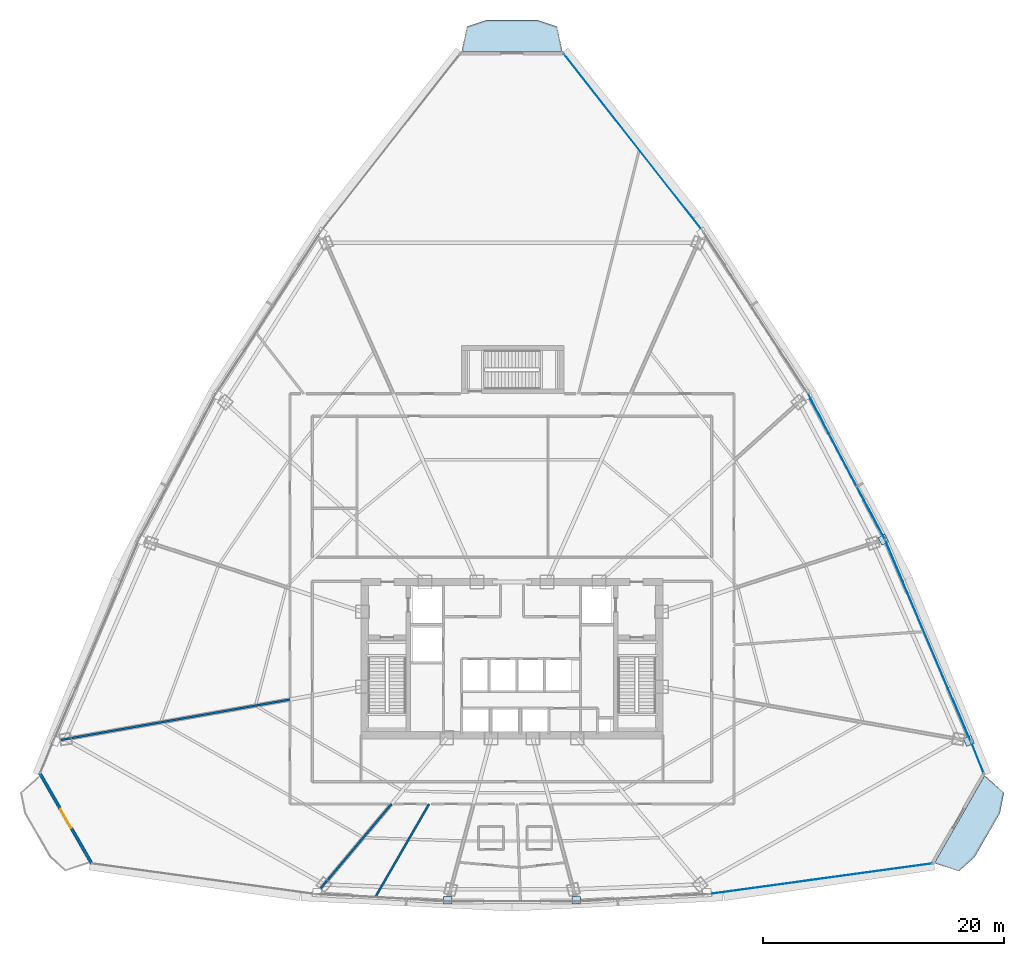
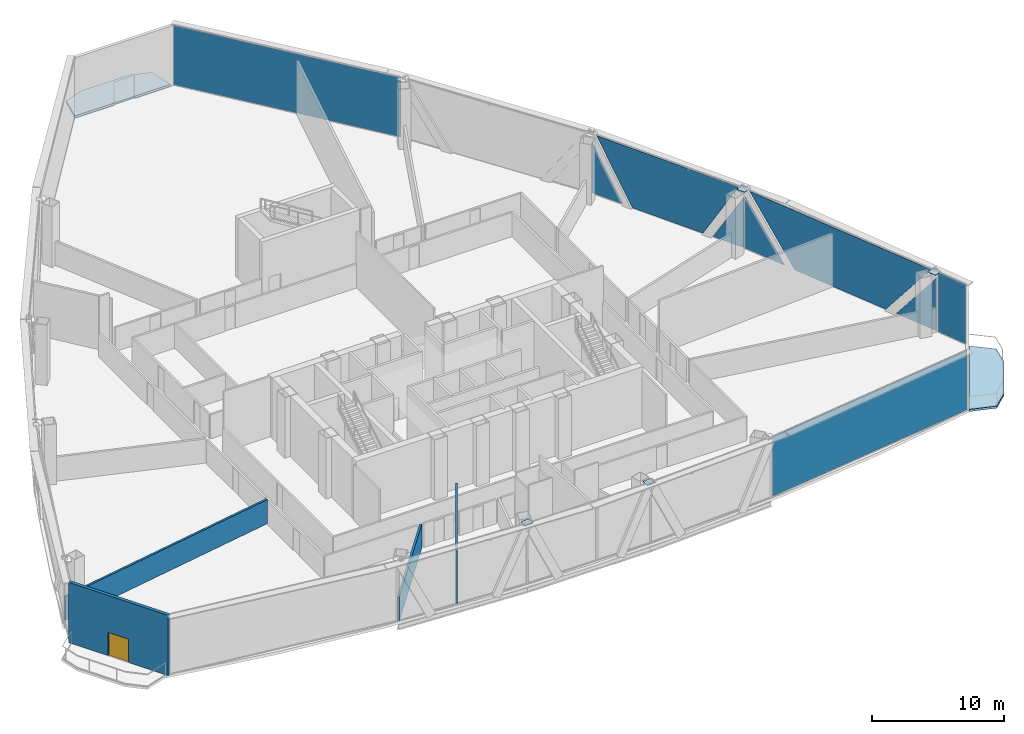
# One storey, part 32 of 40: 13 plates, 4 walls, 2 slabs, 1 door, 1 opening, 5 elements without a shape of their own.
"""IFC4 building model written with IfcOpenShell, lengths in metres."""

from ifc_helpers import new_model, si_unit, direction, frame, frame_2d, origin, origin_with_axes, origin_2d, place, context, subcontext, project, spatial, polyline, rectangle, outline, extrude, source, transform, mapped, material, layer, layer_set, type_object, element, fill, aggregate, save


model = new_model("IFC4")

# Units and contexts
model_context = context("Model", 3, precision=1e-05, world=origin(), true_north=direction((0.0, 1.0)))
body_context = subcontext(model_context, "Body", "Model", "MODEL_VIEW")
ifc_project = project(units=[si_unit("LENGTHUNIT", "METRE"), si_unit("AREAUNIT", "SQUARE_METRE"), si_unit("VOLUMEUNIT", "CUBIC_METRE"), si_unit("PLANEANGLEUNIT", "RADIAN"), si_unit("MASSUNIT", "GRAM", prefix="KILO"), si_unit("THERMODYNAMICTEMPERATUREUNIT", "KELVIN"), si_unit("POWERUNIT", "WATT")], contexts=[model_context])

# Site, building, storey
site_placement = place(None, origin())
site = spatial("IfcSite", under=ifc_project, at=site_placement, CompositionType="ELEMENT")
building_placement = place(site_placement, origin())
building = spatial("IfcBuilding", under=site, at=building_placement, Name="Yunzhuo Pagoda Commons", CompositionType="ELEMENT")
storey_placement = place(building_placement, frame((0.0, 0.0, 170.31005859375)))
storey = spatial("IfcBuildingStorey", under=building, at=storey_placement, Name="L43", CompositionType="ELEMENT", Elevation=170.31005859375)

# Curtain wall, plates
ifc_material_1 = material(Name="Anodized aluminium 6063-T6", Category="aluminium")
ifc_layer_1 = layer(ifc_material_1, 0.14990234375)
ifc_layer_set_1 = layer_set([ifc_layer_1], Name="Anodized aluminium 6063-T6")
curtain_wall_type = type_object("IfcCurtainWallType", Name="CW-MID Mid-Zone Ribbon Curtain Wall", PredefinedType="NOTDEFINED", material=ifc_layer_set_1)
curtain_wall_1_placement = place(storey_placement, origin())
curtain_wall_1 = element("IfcCurtainWall", 1, at=curtain_wall_1_placement, inside=storey, type_object=curtain_wall_type, Name="L43 curtain wall CW-L43-F2B2", PredefinedType="NOTDEFINED")
ifc_material_2 = material(Name="Tempered low-e double glazing", Category="glass")
ifc_layer_2 = layer(ifc_material_2, 0.028076171875)
ifc_layer_set_2 = layer_set([ifc_layer_2], Name="Tempered low-e double glazing")
plate_type_1 = type_object("IfcPlateType", Name="CW-MID-P Low-E Double Glazing 28", PredefinedType="CURTAIN_PANEL", material=ifc_layer_set_2)
plate_1_placement = place(storey_placement, frame((85.25927734375, 28.775146484375, 2.465087890625), z_axis=(0.920363798122, 0.391063267395, 0.0), x_axis=(-0.391063267395, 0.920363798122, 0.0)))
plate_1 = element("IfcPlate", 2, at=plate_1_placement, type_object=plate_type_1, Name="CW panel 1.1 lite 1", PredefinedType="CURTAIN_PANEL", context=body_context, shape_type="SweptSolid", body=[
    extrude(outline(polyline([(-1.881103515625, -2.41015625), (1.881103515625, -2.41015625), (-1.881103515625, 2.41015625), (-1.881103515625, -2.41015625)])), origin(), (0.0, 0.0, 1.0), 0.028076171875),
])
plate_2_placement = place(storey_placement, frame((82.431884765625, 35.352294921875, 2.784912109375), z_axis=(0.920363798122, 0.391063267395, 0.0), x_axis=(-0.391063267395, 0.920363798122, 0.0)))
plate_2 = element("IfcPlate", 3, at=plate_2_placement, type_object=plate_type_1, Name="CW panel 1.1 lite 2", PredefinedType="CURTAIN_PANEL", context=body_context, shape_type="SweptSolid", body=[
    extrude(outline(polyline([(-8.574951171875, 2.72998046875), (-4.313720703125, -2.72998046875), (4.313720703125, -2.72998046875), (8.574951171875, 2.72998046875), (-8.574951171875, 2.72998046875)])), origin(), (0.0, 0.0, 1.0), 0.028076171875),
])
plate_3_placement = place(storey_placement, frame((79.66015625, 41.95263671875, 2.465087890625), z_axis=(0.920363798122, 0.391063267395, 0.0), x_axis=(-0.391063267395, 0.920363798122, 0.0)))
plate_3 = element("IfcPlate", 4, at=plate_3_placement, type_object=plate_type_1, Name="CW panel 1.1 lite 3", PredefinedType="CURTAIN_PANEL", context=body_context, shape_type="SweptSolid", body=[
    extrude(outline(polyline([(-1.881103515625, -2.41015625), (1.881103515625, -2.41015625), (1.881103515625, 2.41015625), (-1.881103515625, -2.41015625)])), origin(), (0.0, 0.0, 1.0), 0.028076171875),
])
aggregate(curtain_wall_1, [plate_1, plate_2, plate_3])

curtain_wall_2_placement = place(storey_placement, origin())
curtain_wall_2 = element("IfcCurtainWall", 5, at=curtain_wall_2_placement, inside=storey, type_object=curtain_wall_type, Name="L43 curtain wall CW-L43-F2B3", PredefinedType="NOTDEFINED")
plate_4_placement = place(storey_placement, frame((78.2373046875, 44.99560546875, 2.384521484375), z_axis=(0.88426270096, 0.466989802556, 0.0), x_axis=(-0.466989802556, 0.88426270096, 0.0)))
plate_4 = element("IfcPlate", 6, at=plate_4_placement, type_object=plate_type_1, Name="CW panel 1.1 lite 1", PredefinedType="CURTAIN_PANEL", context=body_context, shape_type="SweptSolid", body=[
    extrude(outline(polyline([(-1.3623046875, -2.32958984375), (1.3623046875, -2.32958984375), (-1.3623046875, 2.32958984375), (-1.3623046875, -2.32958984375)])), origin(), (0.0, 0.0, 1.0), 0.028076171875),
])
plate_5_placement = place(storey_placement, frame((75.691162109375, 49.75244140625, 2.784912109375), z_axis=(0.88426270096, 0.466989802556, 0.0), x_axis=(-0.466989802556, 0.88426270096, 0.0)))
plate_5 = element("IfcPlate", 7, at=plate_5_placement, type_object=plate_type_1, Name="CW panel 1.1 lite 2", PredefinedType="CURTAIN_PANEL", context=body_context, shape_type="SweptSolid", body=[
    extrude(outline(polyline([(-6.34521484375, 2.72998046875), (-3.15283203125, -2.72998046875), (3.15283203125, -2.72998046875), (6.34521484375, 2.72998046875), (-6.34521484375, 2.72998046875)])), origin(), (0.0, 0.0, 1.0), 0.028076171875),
])
plate_6_placement = place(storey_placement, frame((73.1982421875, 54.53759765625, 2.384521484375), z_axis=(0.88426270096, 0.466989802556, 0.0), x_axis=(-0.466989802556, 0.88426270096, 0.0)))
plate_6 = element("IfcPlate", 8, at=plate_6_placement, type_object=plate_type_1, Name="CW panel 1.1 lite 3", PredefinedType="CURTAIN_PANEL", context=body_context, shape_type="SweptSolid", body=[
    extrude(outline(polyline([(-1.3623046875, -2.32958984375), (1.3623046875, -2.32958984375), (1.3623046875, 2.32958984375), (-1.3623046875, -2.32958984375)])), origin(), (0.0, 0.0, 1.0), 0.028076171875),
])
aggregate(curtain_wall_2, [plate_4, plate_5, plate_6])

# Slabs
ifc_material_3 = material(Name="Concrete C40", Category="concrete")
ifc_layer_3 = layer(ifc_material_3, 0.199951171875)
ifc_layer_set_3 = layer_set([ifc_layer_3], Name="Concrete C40")
slab_type = type_object("IfcSlabType", Name="SL-BAL Vertex Balcony Deck Slab 200", PredefinedType="FLOOR", material=ifc_layer_set_3)
slab_1_placement = place(storey_placement, frame((0.0, 0.0, -0.199951171875)))
element("IfcSlab", 9, at=slab_1_placement, inside=storey, type_object=slab_type, Name="L43 corner balcony V2", PredefinedType="FLOOR", context=body_context, shape_type="SweptSolid", body=[
    extrude(outline(polyline([(83.005615234375, 16.883544921875), (87.18603515625, 24.16455078125), (88.77880859375, 22.731201171875), (88.434814453125, 21.02734375), (86.344482421875, 17.38671875), (85.04638671875, 16.230712890625), (83.005615234375, 16.883544921875)])), origin(), (0.0, 0.0, 1.0), 0.199951171875),
])
slab_2_placement = place(storey_placement, frame((0.0, 0.0, -0.199951171875)))
element("IfcSlab", 10, at=slab_2_placement, inside=storey, type_object=slab_type, Name="L43 corner balcony V3", PredefinedType="FLOOR", context=body_context, shape_type="SweptSolid", body=[
    extrude(outline(polyline([(52.1806640625, 84.1328125), (43.8193359375, 84.1328125), (44.269287109375, 86.227783203125), (45.90966796875, 86.77783203125), (50.09033203125, 86.77783203125), (51.730712890625, 86.227783203125), (52.1806640625, 84.1328125)])), origin(), (0.0, 0.0, 1.0), 0.199951171875),
])

# Plates
ifc_material_4 = material(Name="Structural steel Q355B", Category="steel")
ifc_layer_4 = layer(ifc_material_4, 0.028076171875)
ifc_layer_set_4 = layer_set([ifc_layer_4], Name="Structural steel Q355B")
plate_type_2 = type_object("IfcPlateType", Name="SP-ND1 Lattice Node Cap Plate 800x500x28", PredefinedType="USERDEFINED", material=ifc_layer_set_4)
shared_shape_1 = source(origin(), body_context, "Body", "SweptSolid", [
    extrude(rectangle(XDim=0.699951171875, YDim=0.62255859375, at=origin_2d()), origin(), (0.0, 0.0, 1.0), 0.035888671875),
])
for number, where, z_axis, x_axis, name in (
    (11, (42.67822265625, 13.8388671875, 5.5322265625), (0.0, 0.0, 1.0), (1.0, 0.0, 0.0), "L43 setback lattice tie plate F1.2L"),
    (12, (53.32177734375, 13.8388671875, 5.5322265625), (0.0, 0.0, 1.0), (0.998414348059, 0.056292002903, 0.0), "L43 setback lattice tie plate F1.3L"),
):
    element("IfcPlate", number, at=place(storey_placement, frame(where, z_axis=z_axis, x_axis=x_axis)), inside=storey, type_object=plate_type_2, Name=name, ObjectType="STIFFENER_PLATE", PredefinedType="USERDEFINED", context=body_context, shape_type="MappedRepresentation", body=[
        mapped(shared_shape_1, transform((0.0, 0.0, 0.0), scale=1.0)),
    ])
shared_shape_2 = source(origin(), body_context, "Body", "SweptSolid", [
    extrude(rectangle(XDim=0.699951171875, YDim=0.694091796875, at=origin_2d()), origin(), (0.0, 0.0, 1.0), 0.035888671875),
])
plate_7_placement = place(storey_placement, frame((85.86181640625, 27.02392578125, 5.5322265625), z_axis=(0.0, 0.0, 1.0), x_axis=(-0.391068484887, 0.920361581189, 0.0)))
element("IfcPlate", 13, at=plate_7_placement, inside=storey, type_object=plate_type_2, Name="L43 setback lattice tie plate F2.1L", ObjectType="STIFFENER_PLATE", PredefinedType="USERDEFINED", context=body_context, shape_type="MappedRepresentation", body=[
    mapped(shared_shape_2, transform((0.0, 0.0, 0.0), scale=1.0)),
])
shared_shape_3 = source(origin(), body_context, "Body", "SweptSolid", [
    extrude(rectangle(XDim=0.699951171875, YDim=0.6328125, at=origin_2d()), origin(), (0.0, 0.0, 1.0), 0.035888671875),
])
plate_8_placement = place(storey_placement, frame((78.779541015625, 43.700927734375, 5.5322265625), z_axis=(0.0, 0.0, 1.0), x_axis=(-0.46698864742, 0.884263311, 0.0)))
element("IfcPlate", 14, at=plate_8_placement, inside=storey, type_object=plate_type_2, Name="L43 setback lattice tie plate F2.2L", ObjectType="STIFFENER_PLATE", PredefinedType="USERDEFINED", context=body_context, shape_type="MappedRepresentation", body=[
    mapped(shared_shape_3, transform((0.0, 0.0, 0.0), scale=1.0)),
])

# Curtain wall, plate
curtain_wall_3_placement = place(storey_placement, origin())
curtain_wall_3 = element("IfcCurtainWall", 15, at=curtain_wall_3_placement, inside=storey, type_object=curtain_wall_type, Name="L43 curtain wall CW-L43-F1B5", PredefinedType="NOTDEFINED")
shared_shape_4 = source(origin(), body_context, "Body", "SweptSolid", [
    extrude(rectangle(XDim=18.559814453125, YDim=0.028076171875, at=origin_2d()), origin(), (0.0, 0.0, 1.0), 5.4599609375),
])
plate_9_placement = place(storey_placement, frame((73.587890625, 15.600341796875, 0.054931640625), z_axis=(0.0, 0.0, 1.0), x_axis=(0.990740757976, 0.135767265879, 0.0)))
plate_9 = element("IfcPlate", 16, at=plate_9_placement, type_object=plate_type_1, Name="CW panel 1.1", PredefinedType="CURTAIN_PANEL", context=body_context, shape_type="MappedRepresentation", body=[
    mapped(shared_shape_4, transform((0.0, 0.0, 0.0), scale=1.0)),
])
aggregate(curtain_wall_3, [plate_9])

curtain_wall_4_placement = place(storey_placement, origin())
curtain_wall_4 = element("IfcCurtainWall", 17, at=curtain_wall_4_placement, inside=storey, type_object=curtain_wall_type, Name="L43 curtain wall CW-L43-F2B1", PredefinedType="NOTDEFINED")
shared_shape_5 = source(origin(), body_context, "Body", "SweptSolid", [
    extrude(rectangle(XDim=2.6962890625, YDim=0.028076171875, at=origin_2d()), origin(), (0.0, 0.0, 1.0), 5.4599609375),
])
plate_10_placement = place(storey_placement, frame((86.587890625, 25.619384765625, 0.054931640625), z_axis=(0.0, 0.0, 1.0), x_axis=(-0.375317697594, 0.926896232527, 0.0)))
plate_10 = element("IfcPlate", 18, at=plate_10_placement, type_object=plate_type_1, Name="CW panel 1.1", PredefinedType="CURTAIN_PANEL", context=body_context, shape_type="MappedRepresentation", body=[
    mapped(shared_shape_5, transform((0.0, 0.0, 0.0), scale=1.0)),
])
aggregate(curtain_wall_4, [plate_10])

curtain_wall_5_placement = place(storey_placement, origin())
curtain_wall_5 = element("IfcCurtainWall", 19, at=curtain_wall_5_placement, inside=storey, type_object=curtain_wall_type, Name="L43 curtain wall CW-L43-F2B5", PredefinedType="NOTDEFINED")
shared_shape_6 = source(origin(), body_context, "Body", "SweptSolid", [
    extrude(rectangle(XDim=18.53271484375, YDim=0.028076171875, at=origin_2d()), origin(), (0.0, 0.0, 1.0), 5.4599609375),
])
plate_11_placement = place(storey_placement, frame((58.03125, 76.659423828125, 0.054931640625), z_axis=(0.0, 0.0, 1.0), x_axis=(-0.617137527071, 0.786855306064, 0.0)))
plate_11 = element("IfcPlate", 20, at=plate_11_placement, type_object=plate_type_1, Name="CW panel 1.1", PredefinedType="CURTAIN_PANEL", context=body_context, shape_type="MappedRepresentation", body=[
    mapped(shared_shape_6, transform((0.0, 0.0, 0.0), scale=1.0)),
])
aggregate(curtain_wall_5, [plate_11])

# Wall, opening, door
ifc_material_5 = material(Name="Precast concrete C40", Category="concrete")
ifc_layer_5 = layer(ifc_material_5, 0.260009765625)
ifc_layer_set_5 = layer_set([ifc_layer_5], Name="Precast concrete C40")
wall_type_1 = type_object("IfcWallType", Name="W-BAL1 Corner Balcony Threshold Wall 260", PredefinedType="STANDARD", material=ifc_layer_set_5)
wall_1_placement = place(storey_placement, frame((8.856201171875, 24.36181640625, 0.0), z_axis=(0.0, 0.0, 1.0), x_axis=(0.497939858886, -0.867211564114, 0.0)))
wall_1 = element("IfcWall", 21, at=wall_1_placement, inside=storey, type_object=wall_type_1, Name="L43 corner balcony wall V1", PredefinedType="STANDARD", context=body_context, shape_type="SweptSolid", body=[
    extrude(rectangle(XDim=8.696044921875, YDim=0.260009765625, at=frame_2d((4.34814453125, 0.0))), origin(), (0.0, 0.0, 1.0), 5.56982421875),
])
opening_placement = place(wall_1_placement, frame((3.447998046875, 0.0, 0.0)))
opening = element("IfcOpeningElement", 22, at=opening_placement, cuts=wall_1, Name="Opening D-BAL1", PredefinedType="OPENING", context=body_context, shape_type="SweptSolid", body=[
    extrude(rectangle(XDim=1.800048828125, YDim=2.14990234375, at=frame_2d((0.89990234375, 1.074951171875))), frame((0.0, 0.14013671875, 0.0), z_axis=(0.0, -1.0, 0.0), x_axis=(1.0, 0.0, 0.0)), (0.0, 0.0, 1.0), 0.280029296875),
])
ifc_material_6 = material(Name="Anodized aluminium frame and tempered glazed leaf", Category="aluminium")
door_type = type_object("IfcDoorType", Name="D-BAL1 Corner Balcony Sliding Glazed Door 1800x2150", OperationType="DOUBLE_DOOR_SLIDING", PredefinedType="DOOR", material=ifc_material_6)
shared_shape_7 = source(origin(), body_context, "Body", "SweptSolid", [
    extrude(rectangle(XDim=1.800048828125, YDim=2.14990234375, at=frame_2d((0.89990234375, 1.074951171875))), frame((0.0, 0.02490234375, 0.0), z_axis=(0.0, -1.0, 0.0), x_axis=(1.0, 0.0, 0.0)), (0.0, 0.0, 1.0), 0.050048828125),
])
door_placement = place(opening_placement, origin_with_axes())
door = element("IfcDoor", 23, at=door_placement, inside=storey, type_object=door_type, Name="L43 corner balcony sliding door V1", OperationType="DOUBLE_DOOR_SLIDING", OverallHeight=2.14990234375, OverallWidth=1.800048828125, PredefinedType="DOOR", context=body_context, shape_type="MappedRepresentation", body=[
    mapped(shared_shape_7, transform((0.0, 0.0, 0.0), scale=1.0)),
])
fill(opening, door)

# Walls
ifc_material_7 = material(Name="Gypsum plasterboard on acoustic stud")
ifc_layer_6 = layer(ifc_material_7, 0.175048828125)
ifc_layer_set_6 = layer_set([ifc_layer_6], Name="Gypsum plasterboard on acoustic stud")
wall_type_2 = type_object("IfcWallType", Name="W-PRT3 Mid-Zone Demising Wall 175", PredefinedType="PARTITIONING", material=ifc_layer_set_6)
wall_2_placement = place(storey_placement, frame((29.60009765625, 30.45556640625, 0.0), z_axis=(0.0, 0.0, 1.0), x_axis=(-0.984808700761, -0.173642802629, 0.0)))
element("IfcWall", 24, at=wall_2_placement, inside=storey, type_object=wall_type_2, Name="L43 interior wall IW-L43-RAD09", PredefinedType="PARTITIONING", context=body_context, shape_type="SweptSolid", body=[
    extrude(rectangle(XDim=19.93408203125, YDim=0.175048828125, at=frame_2d((9.967041015625, 0.0))), origin(), (0.0, 0.0, 1.0), 2.219970703125),
])
wall_3_placement = place(storey_placement, frame((38.0146484375, 21.800048828125, 0.0), z_axis=(0.0, 0.0, 1.0), x_axis=(-0.642778485286, -0.766052099308, 0.0)))
element("IfcWall", 25, at=wall_3_placement, inside=storey, type_object=wall_type_2, Name="L43 interior wall IW-L43-RAD10", PredefinedType="PARTITIONING", context=body_context, shape_type="SweptSolid", body=[
    extrude(rectangle(XDim=9.76171875, YDim=0.175048828125, at=frame_2d((4.880859375, 0.0))), origin(), (0.0, 0.0, 1.0), 2.219970703125),
])
wall_4_placement = place(storey_placement, frame((41.12939453125, 21.800048828125, 0.0), z_axis=(0.0, 0.0, 1.0), x_axis=(-0.499989136038, -0.866031676005, 0.0)))
element("IfcWall", 26, at=wall_4_placement, inside=storey, type_object=wall_type_2, Name="L43 interior wall IW-L43-RAD11", PredefinedType="PARTITIONING", context=body_context, shape_type="SweptSolid", body=[
    extrude(rectangle(XDim=8.954833984375, YDim=0.175048828125, at=frame_2d((4.4775390625, 0.0))), origin(), (0.0, 0.0, 1.0), 4.919921875),
])

save(model, "model.ifc")
